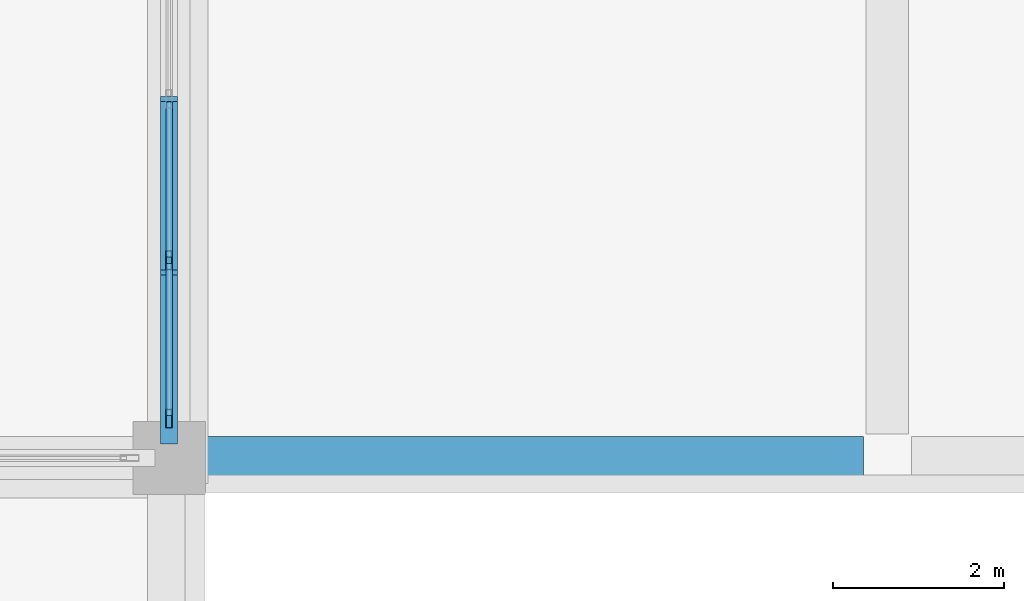
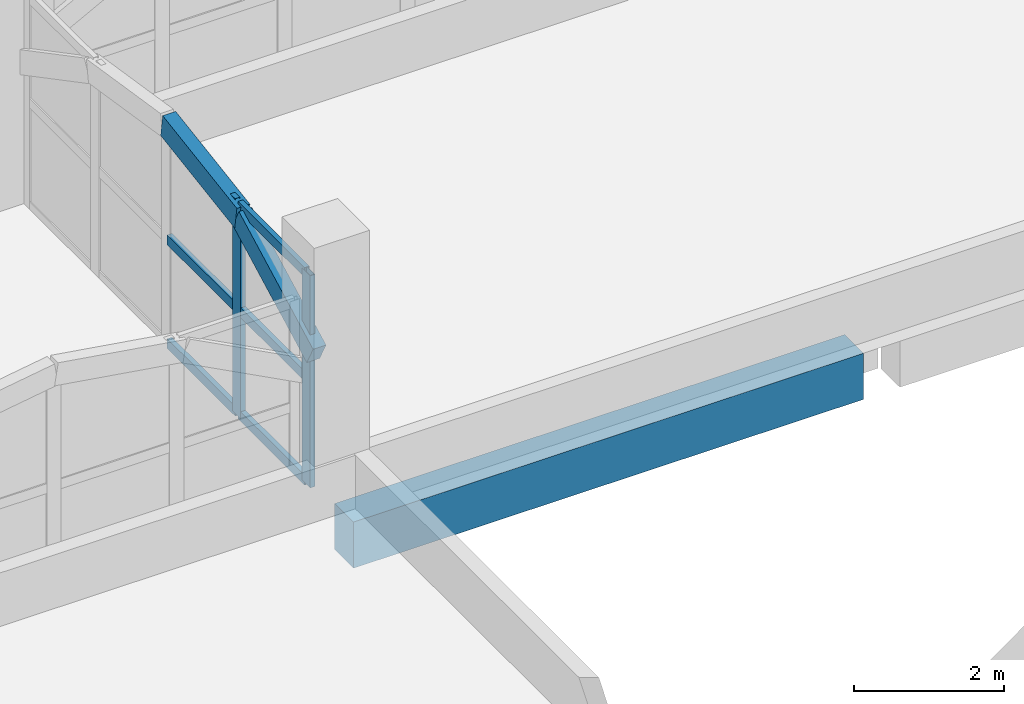
# One storey, part 24 of 129: 10 members, 1 beam, 1 element without a shape of its own.
"""IFC4 building model written with IfcOpenShell, lengths in metres."""

from ifc_helpers import new_model, si_unit, direction, frame, origin, origin_2d, place, context, subcontext, project, spatial, rectangle, hollow_rectangle, extrude, material, layer, layer_set, material_profile, profile_set, type_object, element, aggregate, save


model = new_model("IFC4")

# Units and contexts
model_context = context("Model", 3, precision=1e-05, world=origin(), true_north=direction((0.0, 1.0)))
body_context = subcontext(model_context, "Body", "Model", "MODEL_VIEW")
ifc_project = project(units=[si_unit("LENGTHUNIT", "METRE"), si_unit("AREAUNIT", "SQUARE_METRE"), si_unit("VOLUMEUNIT", "CUBIC_METRE"), si_unit("PLANEANGLEUNIT", "RADIAN"), si_unit("MASSUNIT", "GRAM", prefix="KILO")], contexts=[model_context])

# Site, building, storey
site_placement = place(None, origin())
site = spatial("IfcSite", under=ifc_project, at=site_placement, CompositionType="ELEMENT")
building_placement = place(site_placement, origin())
building = spatial("IfcBuilding", under=site, at=building_placement, Name="Xazarin Passage Department Store", CompositionType="ELEMENT")
storey_placement = place(building_placement, frame((0.0, 0.0, 9.89990234375)))
storey = spatial("IfcBuildingStorey", under=building, at=storey_placement, Name="L02", CompositionType="ELEMENT", Elevation=9.89990234375)

# Curtain wall, members
ifc_material_1 = material(Name="Bronze anodised aluminium", Category="aluminium")
ifc_layer = layer(ifc_material_1, 0.199951171875)
ifc_layer_set = layer_set([ifc_layer], Name="Bronze anodised aluminium")
curtain_wall_type = type_object("IfcCurtainWallType", Name="ARC-CW-VIT2", PredefinedType="NOTDEFINED", material=ifc_layer_set)
curtain_wall_placement = place(storey_placement, origin())
curtain_wall = element("IfcCurtainWall", 1, at=curtain_wall_placement, inside=storey, type_object=curtain_wall_type, Name="L02 V1 Curtain Wall 051", PredefinedType="NOTDEFINED")
ifc_material_profile_1 = material_profile(ifc_material_1, hollow_rectangle(XDim=0.074951171875, YDim=0.219970703125, WallThickness=0.0048828125, at=origin_2d()), Name="ALU 75x220")
ifc_profile_set_1 = profile_set([ifc_material_profile_1], Name="Bronze anodised aluminium")
member_type_1 = type_object("IfcMemberType", Name="ARC-CWM-75x220", PredefinedType="MULLION", material=ifc_profile_set_1)
member_1_placement = place(storey_placement, frame((50.39990234375, 60.0625, 0.0), z_axis=(0.0, 0.0, 1.0), x_axis=(-1.0, 0.0, 0.0)))
member_1 = element("IfcMember", 2, at=member_1_placement, type_object=member_type_1, Name="CW2 mullion 1", PredefinedType="MULLION", context=body_context, shape_type="SweptSolid", body=[
    extrude(hollow_rectangle(XDim=0.074951171875, YDim=0.219970703125, WallThickness=0.0048828125, at=origin_2d()), origin(), (0.0, 0.0, 1.0), 3.4501953125),
])
member_2_placement = place(storey_placement, frame((50.39990234375, 61.91259765625, 0.0), z_axis=(0.0, 0.0, 1.0), x_axis=(-1.0, 0.0, 0.0)))
member_2 = element("IfcMember", 3, at=member_2_placement, type_object=member_type_1, Name="CW2 mullion 2", PredefinedType="MULLION", context=body_context, shape_type="SweptSolid", body=[
    extrude(hollow_rectangle(XDim=0.074951171875, YDim=0.219970703125, WallThickness=0.0048828125, at=origin_2d()), origin(), (0.0, 0.0, 1.0), 3.4501953125),
])
ifc_material_profile_2 = material_profile(ifc_material_1, hollow_rectangle(XDim=0.074951171875, YDim=0.159912109375, WallThickness=0.00439453125, at=origin_2d()), Name="ALU 75x160")
ifc_profile_set_2 = profile_set([ifc_material_profile_2], Name="Bronze anodised aluminium")
member_type_2 = type_object("IfcMemberType", Name="ARC-CWT-75x160", PredefinedType="USERDEFINED", material=ifc_profile_set_2)
member_3_placement = place(storey_placement, frame((50.39990234375, 60.10009765625, 0.03759765625), z_axis=(0.0, 1.0, 0.0), x_axis=(-1.0, 0.0, 0.0)))
member_3 = element("IfcMember", 4, at=member_3_placement, type_object=member_type_2, Name="CW2 transom 1.1", ObjectType="TRANSOM", PredefinedType="USERDEFINED", context=body_context, shape_type="SweptSolid", body=[
    extrude(hollow_rectangle(XDim=0.074951171875, YDim=0.159912109375, WallThickness=0.00439453125, at=origin_2d()), origin(), (0.0, 0.0, 1.0), 1.77490234375),
])
member_4_placement = place(storey_placement, frame((50.39990234375, 60.10009765625, 1.72509765625), z_axis=(0.0, 1.0, 0.0), x_axis=(-1.0, 0.0, 0.0)))
member_4 = element("IfcMember", 5, at=member_4_placement, type_object=member_type_2, Name="CW2 transom 1.2", ObjectType="TRANSOM", PredefinedType="USERDEFINED", context=body_context, shape_type="SweptSolid", body=[
    extrude(hollow_rectangle(XDim=0.074951171875, YDim=0.159912109375, WallThickness=0.00439453125, at=origin_2d()), origin(), (0.0, 0.0, 1.0), 1.77490234375),
])
member_5_placement = place(storey_placement, frame((50.39990234375, 60.10009765625, 3.41259765625), z_axis=(0.0, 1.0, 0.0), x_axis=(-1.0, 0.0, 0.0)))
member_5 = element("IfcMember", 6, at=member_5_placement, type_object=member_type_2, Name="CW2 transom 1.3", ObjectType="TRANSOM", PredefinedType="USERDEFINED", context=body_context, shape_type="SweptSolid", body=[
    extrude(hollow_rectangle(XDim=0.074951171875, YDim=0.159912109375, WallThickness=0.00439453125, at=origin_2d()), origin(), (0.0, 0.0, 1.0), 1.77490234375),
])
member_6_placement = place(storey_placement, frame((50.39990234375, 61.949951171875, 0.03759765625), z_axis=(0.0, 1.0, 0.0), x_axis=(-1.0, 0.0, 0.0)))
member_6 = element("IfcMember", 7, at=member_6_placement, type_object=member_type_2, Name="CW2 transom 2.1", ObjectType="TRANSOM", PredefinedType="USERDEFINED", context=body_context, shape_type="SweptSolid", body=[
    extrude(hollow_rectangle(XDim=0.074951171875, YDim=0.159912109375, WallThickness=0.00439453125, at=origin_2d()), origin(), (0.0, 0.0, 1.0), 1.8125),
])
member_7_placement = place(storey_placement, frame((50.39990234375, 61.949951171875, 1.72509765625), z_axis=(0.0, 1.0, 0.0), x_axis=(-1.0, 0.0, 0.0)))
member_7 = element("IfcMember", 8, at=member_7_placement, type_object=member_type_2, Name="CW2 transom 2.2", ObjectType="TRANSOM", PredefinedType="USERDEFINED", context=body_context, shape_type="SweptSolid", body=[
    extrude(hollow_rectangle(XDim=0.074951171875, YDim=0.159912109375, WallThickness=0.00439453125, at=origin_2d()), origin(), (0.0, 0.0, 1.0), 1.8125),
])
member_8_placement = place(storey_placement, frame((50.39990234375, 61.949951171875, 3.41259765625), z_axis=(0.0, 1.0, 0.0), x_axis=(-1.0, 0.0, 0.0)))
member_8 = element("IfcMember", 9, at=member_8_placement, type_object=member_type_2, Name="CW2 transom 2.3", ObjectType="TRANSOM", PredefinedType="USERDEFINED", context=body_context, shape_type="SweptSolid", body=[
    extrude(hollow_rectangle(XDim=0.074951171875, YDim=0.159912109375, WallThickness=0.00439453125, at=origin_2d()), origin(), (0.0, 0.0, 1.0), 1.8125),
])
aggregate(curtain_wall, [member_1, member_2, member_3, member_4, member_5, member_6, member_7, member_8])

# Beam
ifc_material_2 = material(Name="Concrete C35/45", Category="concrete")
ifc_material_profile_3 = material_profile(ifc_material_2, rectangle(XDim=0.5, YDim=0.75, at=origin_2d()), Name="RC 500x750")
ifc_profile_set_3 = profile_set([ifc_material_profile_3], Name="Concrete C35/45")
beam_type = type_object("IfcBeamType", Name="STR-BM-SP500x750", PredefinedType="SPANDREL", material=ifc_profile_set_3)
beam_placement = place(storey_placement, frame((50.679931640625, 59.60009765625, -0.6748046875), z_axis=(1.0, 0.0, 0.0), x_axis=(0.0, 1.0, 0.0)))
element("IfcBeam", 10, at=beam_placement, inside=storey, type_object=beam_type, Name="L02 Grid Beam J/7-8", PredefinedType="SPANDREL", context=body_context, shape_type="SweptSolid", body=[
    extrude(rectangle(XDim=0.5, YDim=0.75, at=origin_2d()), origin(), (0.0, 0.0, 1.0), 7.840087890625),
])

# Members
ifc_material_3 = material(Name="Concrete C40/50", Category="concrete")
ifc_material_profile_4 = material_profile(ifc_material_3, rectangle(XDim=0.199951171875, YDim=0.360107421875, at=origin_2d()), Name="RC 200x360")
ifc_profile_set_4 = profile_set([ifc_material_profile_4], Name="Concrete C40/50")
member_type_3 = type_object("IfcMemberType", Name="STR-MEM-ARC360", PredefinedType="CHORD", material=ifc_profile_set_4)
member_9_placement = place(storey_placement, frame((50.39990234375, 59.85009765625, 2.22998046875), z_axis=(0.0, 0.884709354127, 0.466143066793), x_axis=(-1.0, 0.0, 0.0)))
element("IfcMember", 11, at=member_9_placement, inside=storey, type_object=member_type_3, Name="L02 V1 Upper Setback Pierced Arch 011.1", PredefinedType="CHORD", context=body_context, shape_type="SweptSolid", body=[
    extrude(rectangle(XDim=0.199951171875, YDim=0.360107421875, at=origin_2d()), origin(), (0.0, 0.0, 1.0), 2.232177734375),
])
member_10_placement = place(storey_placement, frame((50.39990234375, 61.824951171875, 3.2705078125), z_axis=(0.0, 0.987938581312, 0.154846244883), x_axis=(-1.0, 0.0, 0.0)))
element("IfcMember", 12, at=member_10_placement, inside=storey, type_object=member_type_3, Name="L02 V1 Upper Setback Pierced Arch 011.2", PredefinedType="CHORD", context=body_context, shape_type="SweptSolid", body=[
    extrude(rectangle(XDim=0.199951171875, YDim=0.360107421875, at=origin_2d()), origin(), (0.0, 0.0, 1.0), 1.999267578125),
])

save(model, "model.ifc")
